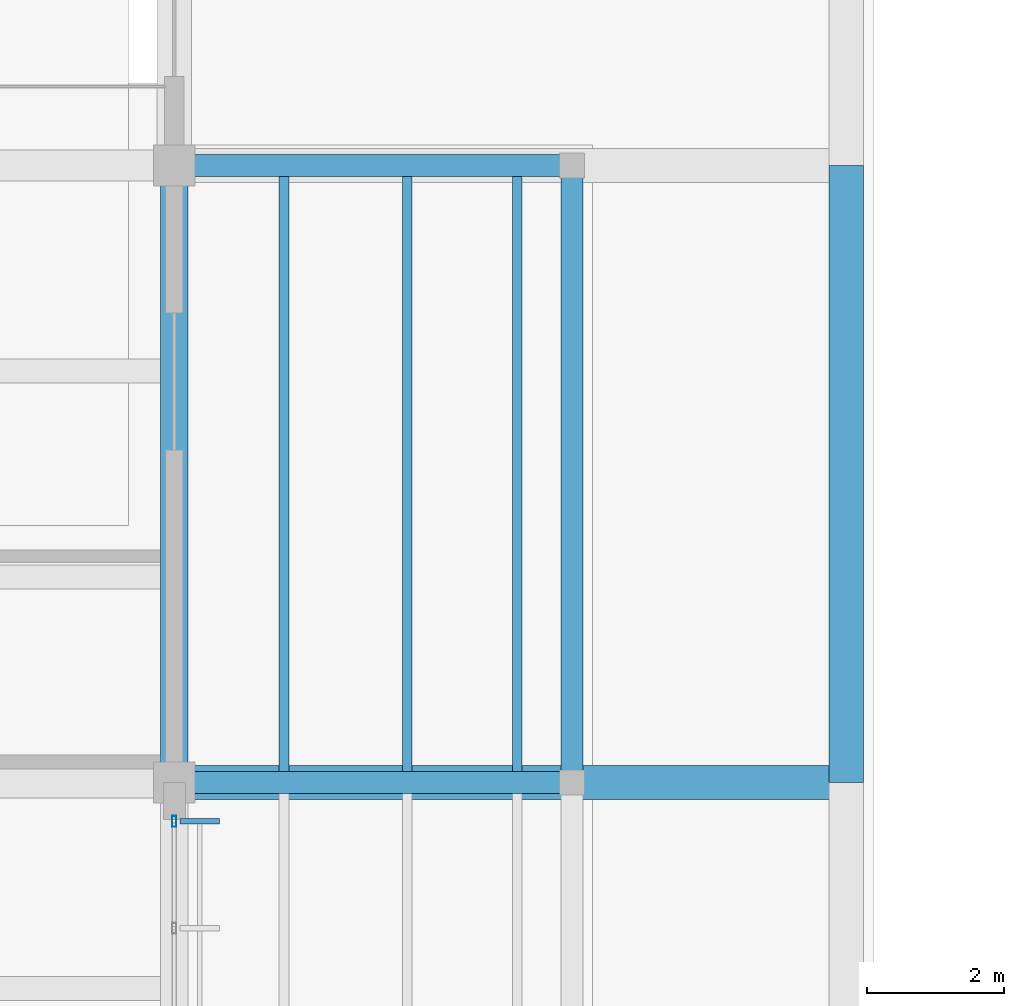
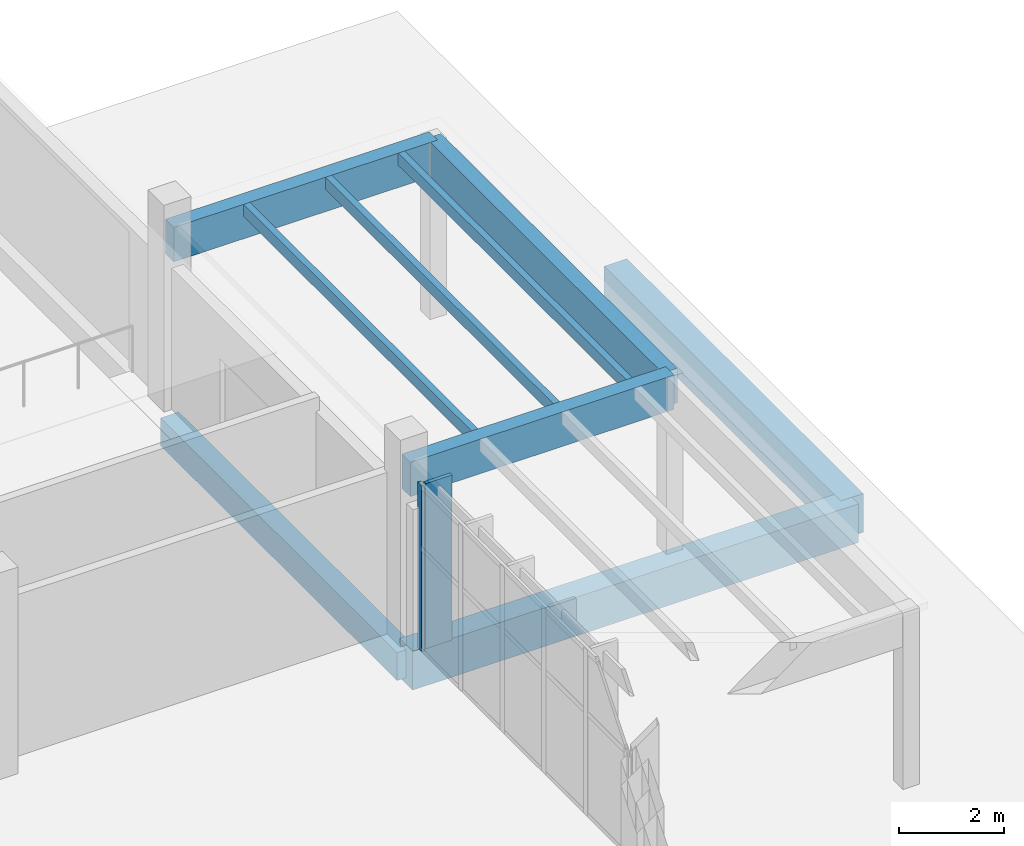
# One storey, part 90 of 151: 6 beams, 5 members, 1 element without a shape of its own.
"""IFC4 building model written with IfcOpenShell, lengths in metres."""

from ifc_helpers import new_model, si_unit, direction, frame, origin, origin_2d, place, context, subcontext, project, spatial, rectangle, hollow_rectangle, extrude, material, material_profile, profile_set, type_object, element, aggregate, save


model = new_model("IFC4")

# Units and contexts
model_context = context("Model", 3, precision=1e-05, world=origin(), true_north=direction((0.0, 1.0)))
body_context = subcontext(model_context, "Body", "Model", "MODEL_VIEW")
ifc_project = project(units=[si_unit("LENGTHUNIT", "METRE"), si_unit("AREAUNIT", "SQUARE_METRE"), si_unit("VOLUMEUNIT", "CUBIC_METRE"), si_unit("PLANEANGLEUNIT", "RADIAN"), si_unit("MASSUNIT", "GRAM", prefix="KILO")], contexts=[model_context])

# Site, building, storey
site_placement = place(None, origin())
site = spatial("IfcSite", under=ifc_project, at=site_placement, CompositionType="ELEMENT")
building_placement = place(site_placement, origin())
building = spatial("IfcBuilding", under=site, at=building_placement, Name="Chiffa Square Polytechnic", CompositionType="ELEMENT")
storey_placement = place(building_placement, origin())
storey = spatial("IfcBuildingStorey", under=building, at=storey_placement, Name="L00", CompositionType="ELEMENT", Elevation=0.0)

# Beam
ifc_material_1 = material(Name="Concrete C35/45", Category="concrete")
ifc_material_profile_1 = material_profile(ifc_material_1, rectangle(XDim=0.39990234375, YDim=0.64990234375, at=origin_2d()), Name="RC 400x650")
ifc_profile_set_1 = profile_set([ifc_material_profile_1], Name="Concrete C35/45")
beam_type_1 = type_object("IfcBeamType", Name="BM-RC-400X650", PredefinedType="BEAM", material=ifc_profile_set_1)
beam_1_placement = place(storey_placement, frame((148.199951171875, 112.800048828125, -0.675048828125), z_axis=(0.0, 1.0, 0.0), x_axis=(-1.0, 0.0, 0.0)))
element("IfcBeam", 1, at=beam_1_placement, inside=storey, type_object=beam_type_1, Name="Primary floor girder BM-V5-L00-Y-1482-1128", PredefinedType="BEAM", context=body_context, shape_type="SweptSolid", body=[
    extrude(rectangle(XDim=0.39990234375, YDim=0.64990234375, at=origin_2d()), origin(), (0.0, 0.0, 1.0), 9.0),
])

# Curtain wall, members
ifc_material_2 = material(Name="Aluminium EN AW-6060 T66 and glulam shading", Category="wood")
curtain_wall_type = type_object("IfcCurtainWallType", Name="CW-VERT-480X380", PredefinedType="USERDEFINED", material=ifc_material_2)
curtain_wall_placement = place(storey_placement, origin())
curtain_wall = element("IfcCurtainWall", 2, at=curtain_wall_placement, inside=storey, type_object=curtain_wall_type, Name="Curtain wall CW-V5-L00-190", ObjectType="CURTAIN WALL", PredefinedType="USERDEFINED")
ifc_material_3 = material(Name="Aluminium EN AW-6060 T66", Category="aluminium")
ifc_material_profile_2 = material_profile(ifc_material_3, hollow_rectangle(XDim=0.06005859375, YDim=0.159912109375, WallThickness=0.00390625, at=origin_2d()), Name="ALU 60x160x4")
ifc_profile_set_2 = profile_set([ifc_material_profile_2], Name="Aluminium EN AW-6060 T66")
member_type_1 = type_object("IfcMemberType", Name="CWM-ALU-65X150", PredefinedType="MULLION", material=ifc_profile_set_2)
member_1_placement = place(storey_placement, frame((148.199951171875, 112.235107421875, 0.0), z_axis=(0.0, 0.0, 1.0), x_axis=(1.0, 0.0, 0.0)))
member_1 = element("IfcMember", 3, at=member_1_placement, type_object=member_type_1, Name="Curtain wall mullion CW-V5-L00-190-M05", PredefinedType="MULLION", context=body_context, shape_type="SweptSolid", body=[
    extrude(hollow_rectangle(XDim=0.06005859375, YDim=0.159912109375, WallThickness=0.00390625, at=origin_2d()), origin(), (0.0, 0.0, 1.0), 3.85498046875),
])
ifc_material_4 = material(Name="Glulam GL28h", Category="wood")
ifc_material_profile_3 = material_profile(ifc_material_4, rectangle(XDim=0.080078125, YDim=0.580078125, at=origin_2d()), Name="GL28h 80x580")
ifc_profile_set_3 = profile_set([ifc_material_profile_3], Name="Glulam GL28h")
member_type_2 = type_object("IfcMemberType", Name="CWM-GL-80X580", PredefinedType="MULLION", material=ifc_profile_set_3)
member_2_placement = place(storey_placement, frame((148.572021484375, 112.235107421875, 0.010009765625), z_axis=(0.0, 0.0, 1.0), x_axis=(0.0, 1.0, 0.0)))
member_2 = element("IfcMember", 4, at=member_2_placement, type_object=member_type_2, Name="Exterior glulam solar fin CW-V5-L00-190-FN05", PredefinedType="MULLION", context=body_context, shape_type="SweptSolid", body=[
    extrude(rectangle(XDim=0.080078125, YDim=0.580078125, at=origin_2d()), origin(), (0.0, 0.0, 1.0), 3.8349609375),
])
aggregate(curtain_wall, [member_1, member_2])

# Beams
ifc_material_profile_4 = material_profile(ifc_material_1, rectangle(XDim=0.5, YDim=0.89990234375, at=origin_2d()), Name="RC 500x900")
ifc_profile_set_4 = profile_set([ifc_material_profile_4], Name="Concrete C35/45")
beam_type_2 = type_object("IfcBeamType", Name="GB-RC-500X900", PredefinedType="BEAM", material=ifc_profile_set_4)
beam_2_placement = place(storey_placement, frame((148.199951171875, 112.800048828125, -0.68994140625), z_axis=(1.0, 0.0, 0.0), x_axis=(0.0, 1.0, 0.0)))
element("IfcBeam", 5, at=beam_2_placement, inside=storey, type_object=beam_type_2, Name="Ramp apron tie beam GB-RMPAPR-TIE-03", PredefinedType="BEAM", context=body_context, shape_type="SweptSolid", body=[
    extrude(rectangle(XDim=0.5, YDim=0.89990234375, at=origin_2d()), origin(), (0.0, 0.0, 1.0), 9.800048828125),
])
beam_3_placement = place(storey_placement, frame((158.0, 112.800048828125, -0.68994140625), z_axis=(0.0, 1.0, 0.0), x_axis=(-1.0, 0.0, 0.0)))
element("IfcBeam", 6, at=beam_3_placement, inside=storey, type_object=beam_type_2, Name="Ramp apron edge beam GB-RMPAPR-EDGE-03", PredefinedType="BEAM", context=body_context, shape_type="SweptSolid", body=[
    extrude(rectangle(XDim=0.5, YDim=0.89990234375, at=origin_2d()), origin(), (0.0, 0.0, 1.0), 9.0),
])

# Members
ifc_material_profile_5 = material_profile(ifc_material_4, rectangle(XDim=0.139892578125, YDim=0.280029296875, at=origin_2d()), Name="GL28h 140x280")
ifc_profile_set_5 = profile_set([ifc_material_profile_5], Name="Glulam GL28h")
member_type_3 = type_object("IfcMemberType", Name="MEM-RFT-GL140", PredefinedType="RAFTER", material=ifc_profile_set_5)
for number, where, z_axis, x_axis, name in (
    (7, (149.800048828125, 112.9599609375, 3.9599609375), (0.0, 1.0, 0.0), (-1.0, 0.0, 0.0), "NE entrance canopy timber rafter RF-NEC-02-1498"),
    (8, (151.60009765625, 112.9599609375, 3.9599609375), (0.0, 1.0, 0.0), (-1.0, 0.0, 0.0), "NE entrance canopy timber rafter RF-NEC-02-1516"),
    (9, (153.199951171875, 112.9599609375, 3.9599609375), (0.0, 1.0, 0.0), (-1.0, 0.0, 0.0), "NE entrance canopy timber rafter RF-NEC-02-1532"),
):
    element("IfcMember", number, at=place(storey_placement, frame(where, z_axis=z_axis, x_axis=x_axis)), inside=storey, type_object=member_type_3, Name=name, PredefinedType="RAFTER", context=body_context, shape_type="SweptSolid", body=[
        extrude(rectangle(XDim=0.139892578125, YDim=0.280029296875, at=origin_2d()), origin(), (0.0, 0.0, 1.0), 8.679931640625),
    ])

# Beams
ifc_material_profile_6 = material_profile(ifc_material_4, rectangle(XDim=0.320068359375, YDim=0.800048828125, at=origin_2d()), Name="GL28h 320x800")
ifc_profile_set_6 = profile_set([ifc_material_profile_6], Name="Glulam GL28h")
beam_type_3 = type_object("IfcBeamType", Name="RB-GL-320X800", PredefinedType="SPANDREL", material=ifc_profile_set_6)
for number, where, z_axis, x_axis, name in (
    (10, (148.199951171875, 112.800048828125, 3.699951171875), (1.0, 0.0, 0.0), (0.0, 1.0, 0.0), "NE entrance canopy tie beam RB-NEC-TIE-02"),
    (11, (148.199951171875, 121.800048828125, 3.699951171875), (1.0, 0.0, 0.0), (0.0, 1.0, 0.0), "NE entrance canopy tie beam RB-NEC-TIE-03"),
):
    element("IfcBeam", number, at=place(storey_placement, frame(where, z_axis=z_axis, x_axis=x_axis)), inside=storey, type_object=beam_type_3, Name=name, PredefinedType="SPANDREL", context=body_context, shape_type="SweptSolid", body=[
        extrude(rectangle(XDim=0.320068359375, YDim=0.800048828125, at=origin_2d()), origin(), (0.0, 0.0, 1.0), 5.800048828125),
    ])
beam_4_placement = place(storey_placement, frame((154.0, 112.800048828125, 3.699951171875), z_axis=(0.0, 1.0, 0.0), x_axis=(-1.0, 0.0, 0.0)))
element("IfcBeam", 12, at=beam_4_placement, inside=storey, type_object=beam_type_3, Name="NE entrance canopy edge beam RB-NEC-EDGE-02", PredefinedType="SPANDREL", context=body_context, shape_type="SweptSolid", body=[
    extrude(rectangle(XDim=0.320068359375, YDim=0.800048828125, at=origin_2d()), origin(), (0.0, 0.0, 1.0), 9.0),
])

save(model, "model.ifc")
